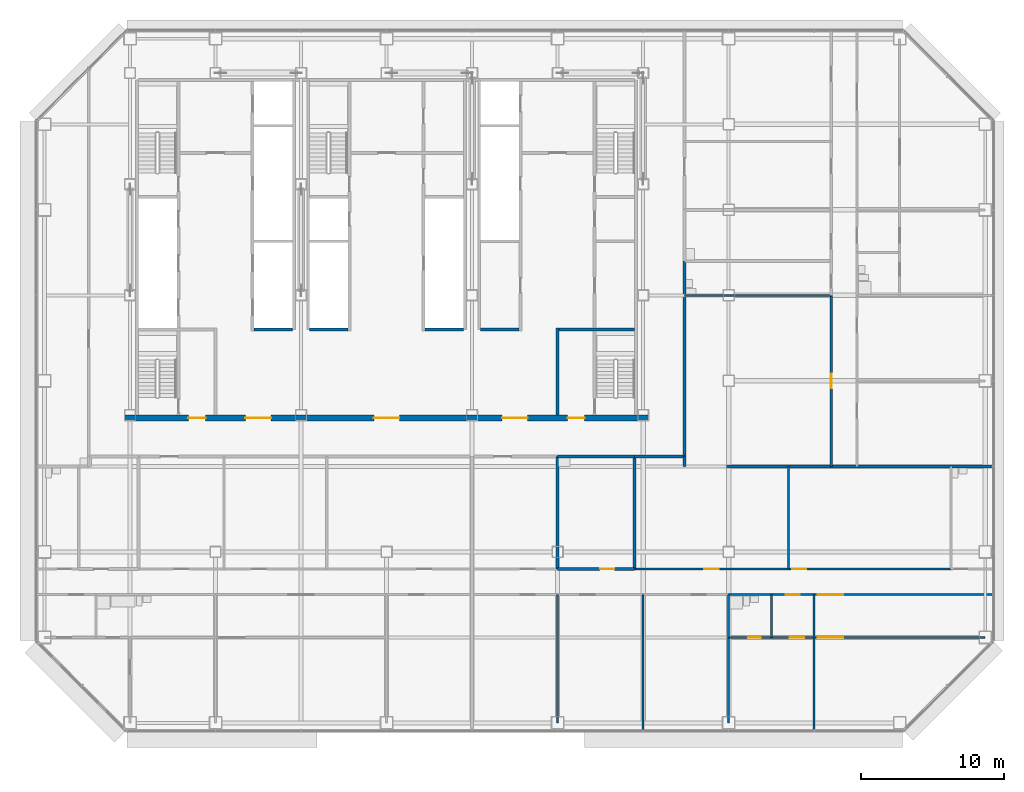
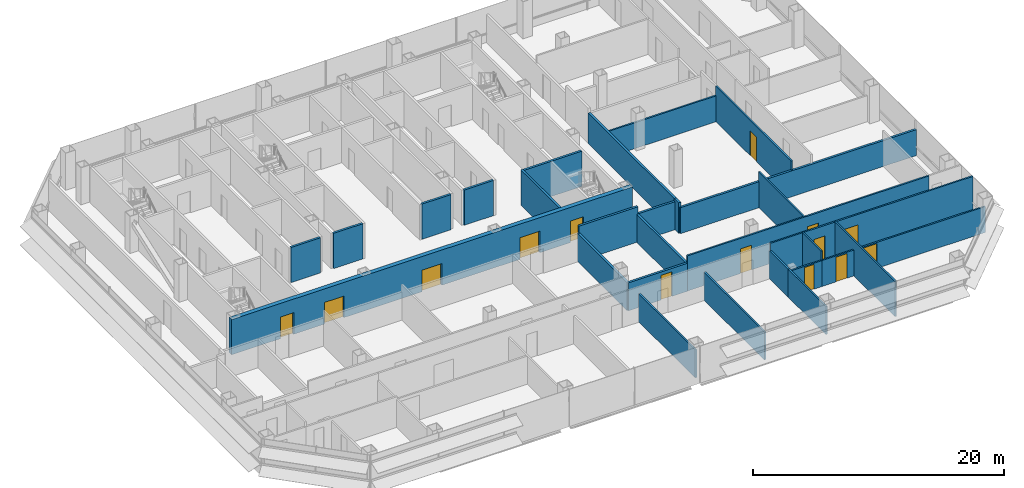
# One storey, part 21 of 27: 29 walls, 14 doors, 14 openings.
"""IFC4 building model written with IfcOpenShell, lengths in metres."""

import ifcopenshell
import ifcopenshell.guid

model = None  # the IFC model being written
_history = None  # IfcOwnerHistory: only IFC2X3 demands one
_inside = {}  # id of a spatial element -> (the spatial element, [elements in it])
_under = {}  # id of a project, library or spatial element -> (it, [spatial elements below it])
_declared = {}  # id of a project -> (the project, [libraries it declares])
_typed = {}  # id of a type object -> (the type object, [elements of that type])
_made_of = {}  # id of a material, layer set ... -> (it, [elements and type objects made of it])


def new_model(schema):
    """Start an empty IFC model of exactly this schema.

    Asked for "IFC4X3", IfcOpenShell would pick the latest addendum, in which some entities
    have other attributes; the version numbers below select the first issue.
    IFC2X3 requires an IfcOwnerHistory on every rooted entity: one is made here for all.
    """
    global model, _history
    if schema == "IFC4X3":
        model = ifcopenshell.file(schema_version=(4, 3, 0, 0))
    else:
        model = ifcopenshell.file(schema=schema)
    _inside.clear()
    _under.clear()
    _declared.clear()
    _typed.clear()
    _made_of.clear()
    _history = None
    if model.schema == "IFC2X3":
        org = make("IfcOrganization", Name="unknown")
        user = make(
            "IfcPersonAndOrganization",
            ThePerson=make("IfcPerson", FamilyName="unknown"),
            TheOrganization=org,
        )
        app = make(
            "IfcApplication",
            ApplicationDeveloper=org,
            Version="unknown",
            ApplicationFullName="unknown",
            ApplicationIdentifier="unknown",
        )
        _history = make(
            "IfcOwnerHistory",
            OwningUser=user,
            OwningApplication=app,
            ChangeAction="ADDED",
            CreationDate=0,
        )
    return model


def make(cls, **values):
    """One entity of the class cls with the attributes given. An attribute that is None is left unset."""
    return model.create_entity(
        cls, **{name: value for name, value in values.items() if value is not None}
    )


def rooted(cls, **values):
    """An entity with a GlobalId (a new one), such as an element, a storey or a relation."""
    return make(cls, GlobalId=ifcopenshell.guid.new(), OwnerHistory=_history, **values)


def si_unit(unit_type, name, prefix=None):
    """IfcSIUnit, for example si_unit("LENGTHUNIT", "METRE", prefix="MILLI")."""
    return make("IfcSIUnit", UnitType=unit_type, Prefix=prefix, Name=name)


def assignment(units):
    """IfcUnitAssignment: the units of a project."""
    return None if units is None else make("IfcUnitAssignment", Units=units)


def point(xyz):
    """IfcCartesianPoint."""
    return None if xyz is None else make("IfcCartesianPoint", Coordinates=xyz)


def direction(xyz):
    """IfcDirection."""
    return None if xyz is None else make("IfcDirection", DirectionRatios=xyz)


def frame(location, z_axis=None, x_axis=None):
    """IfcAxis2Placement3D, a coordinate frame: its origin and axes. An axis left out is left unset."""
    return make(
        "IfcAxis2Placement3D",
        Location=point(location),
        Axis=direction(z_axis),
        RefDirection=direction(x_axis),
    )


def frame_2d(location, x_axis=None):
    """IfcAxis2Placement2D, a coordinate frame in the plane: its origin and x axis."""
    return make(
        "IfcAxis2Placement2D", Location=point(location), RefDirection=direction(x_axis)
    )


def origin():
    """The frame at (0, 0, 0) with its axes left unset."""
    return frame((0.0, 0.0, 0.0))


def place(relative_to, where):
    """IfcLocalPlacement: puts the frame where relative to a parent placement (None: the world)."""
    return make(
        "IfcLocalPlacement", PlacementRelTo=relative_to, RelativePlacement=where
    )


def context(
    kind, dimensions, precision=None, world=None, true_north=None, identifier=None
):
    """IfcGeometricRepresentationContext, for example the 3D "Model" context."""
    return make(
        "IfcGeometricRepresentationContext",
        ContextIdentifier=identifier,
        ContextType=kind,
        CoordinateSpaceDimension=dimensions,
        Precision=precision,
        WorldCoordinateSystem=world,
        TrueNorth=true_north,
    )


def subcontext(parent, identifier, kind, view, scale=None):
    """IfcGeometricRepresentationSubContext, for example "Body" below "Model"."""
    return make(
        "IfcGeometricRepresentationSubContext",
        ContextIdentifier=identifier,
        ContextType=kind,
        ParentContext=parent,
        TargetScale=scale,
        TargetView=view,
    )


def project(units=None, contexts=None):
    """IfcProject with its units and contexts."""
    return rooted(
        "IfcProject",
        Name="project",
        RepresentationContexts=contexts,
        UnitsInContext=assignment(units),
    )


def spatial(cls, under=None, at=None, **own):
    """A site, building, storey or space (cls), placed at a placement, below another one or the project."""
    s = rooted(cls, ObjectPlacement=at, **own)
    if under is not None:
        _under.setdefault(under.id(), (under, []))[1].append(s)
    return s


def profile(cls, at=None, kind="AREA", **sizes):
    """A parametric profile (cls). Its sizes go by their IFC names, for example OverallWidth=200.0."""
    return make(cls, ProfileType=kind, Position=at, **sizes)


def rectangle(**sizes):
    """IfcRectangleProfileDef."""
    return profile("IfcRectangleProfileDef", **sizes)


def extrude(swept, where, along, depth):
    """IfcExtrudedAreaSolid: the profile swept, set in the frame where, extruded along a direction by depth."""
    return make(
        "IfcExtrudedAreaSolid",
        SweptArea=swept,
        Position=where,
        ExtrudedDirection=direction(along),
        Depth=depth,
    )


def shape(context_of_items, identifier, shape_type, items):
    """IfcShapeRepresentation: the items that make up one representation, for example the "Body"."""
    return make(
        "IfcShapeRepresentation",
        ContextOfItems=context_of_items,
        RepresentationIdentifier=identifier,
        RepresentationType=shape_type,
        Items=items,
    )


def material(Name=None, Category=None):
    """IfcMaterial."""
    return make("IfcMaterial", Name=Name, Category=Category)


def layer(
    of_material, thickness, ventilated=None, Name=None, Category=None, Priority=None
):
    """IfcMaterialLayer: one layer of a wall or slab, of a material (None: an air gap)."""
    return make(
        "IfcMaterialLayer",
        Material=of_material,
        LayerThickness=thickness,
        IsVentilated=ventilated,
        Name=Name,
        Category=Category,
        Priority=Priority,
    )


def layer_set(layers, Name=None):
    """IfcMaterialLayerSet."""
    return make("IfcMaterialLayerSet", MaterialLayers=layers, LayerSetName=Name)


def made_of(thing, what):
    """Note that an element or type object is made of a material, layer set ...; save() writes the relation."""
    if what is not None:
        _made_of.setdefault(what.id(), (what, []))[1].append(thing)
    return thing


def type_object(cls, material=None, **own):
    """A type object (cls), such as IfcWallType, which elements share."""
    return made_of(rooted(cls, **own), material)


def element(
    cls,
    number,
    at=None,
    inside=None,
    cuts=None,
    type_object=None,
    material=None,
    context=None,
    identifier="Body",
    shape_type=None,
    held_by="IfcProductDefinitionShape",
    body=None,
    shapes=None,
    **own,
):
    """One element of the class cls, such as IfcWall. Its Tag is "e" and its number.

    at: its placement. inside: the storey or other place that contains it. cuts: it is an
    opening in that element (IfcRelVoidsElement). A single representation is given by context,
    identifier, shape_type and body (its items); several are given by shapes. held_by: the class
    of the entity that holds the representations. save() writes the other relations.
    """
    e = rooted(cls, Tag="e%d" % number, ObjectPlacement=at, **own)
    if body is not None:
        shapes = [shape(context, identifier, shape_type, body)]
    if shapes is not None:
        e.Representation = make(held_by, Representations=shapes)
    if inside is not None:
        _inside.setdefault(inside.id(), (inside, []))[1].append(e)
    if cuts is not None:
        rooted(
            "IfcRelVoidsElement", RelatingBuildingElement=cuts, RelatedOpeningElement=e
        )
    if type_object is not None:
        _typed.setdefault(type_object.id(), (type_object, []))[1].append(e)
    return made_of(e, material)


def fill(opening, filler):
    """IfcRelFillsElement: the door or window that sits in an opening."""
    return rooted(
        "IfcRelFillsElement",
        RelatingOpeningElement=opening,
        RelatedBuildingElement=filler,
    )


def aggregate(whole, parts):
    """IfcRelAggregates: a whole, such as a stair, and the parts it consists of."""
    return rooted("IfcRelAggregates", RelatingObject=whole, RelatedObjects=parts)


def save(model, path):
    """Write the relations noted so far, then the file.

    IfcRelAggregates (storeys below a building ...), IfcRelContainedInSpatialStructure (elements
    in a storey), IfcRelDefinesByType, IfcRelAssociatesMaterial and IfcRelDeclares: one each for
    every whole, place, type object, material and project.
    """
    for whole, parts in _under.values():
        aggregate(whole, parts)
    for where, things in _inside.values():
        rooted(
            "IfcRelContainedInSpatialStructure",
            RelatedElements=things,
            RelatingStructure=where,
        )
    for kind, things in _typed.values():
        rooted("IfcRelDefinesByType", RelatedObjects=things, RelatingType=kind)
    for what, things in _made_of.values():
        rooted("IfcRelAssociatesMaterial", RelatedObjects=things, RelatingMaterial=what)
    for by, libraries in _declared.values():
        rooted("IfcRelDeclares", RelatingContext=by, RelatedDefinitions=libraries)
    model.write(path)


model = new_model("IFC4")

# Units and contexts
model_context = context("Model", 3, precision=1e-05, world=origin(), true_north=direction((0.0, 1.0)))
body_context = subcontext(model_context, "Body", "Model", "MODEL_VIEW")
ifc_project = project(units=[si_unit("LENGTHUNIT", "METRE"), si_unit("AREAUNIT", "SQUARE_METRE"), si_unit("VOLUMEUNIT", "CUBIC_METRE"), si_unit("PLANEANGLEUNIT", "RADIAN"), si_unit("MASSUNIT", "GRAM", prefix="KILO")], contexts=[model_context])

# Site, building, storey
site_placement = place(None, origin())
site = spatial("IfcSite", under=ifc_project, at=site_placement, CompositionType="ELEMENT")
building_placement = place(site_placement, origin())
building = spatial("IfcBuilding", under=site, at=building_placement, Name="Sorahane Residences", CompositionType="ELEMENT")
storey_placement = place(building_placement, frame((0.0, 0.0, 78.60009765625)))
storey = spatial("IfcBuildingStorey", under=building, at=storey_placement, Name="L16", CompositionType="ELEMENT", Elevation=78.60009765625)

# Walls
ifc_material_1 = material(Name="Concrete blockwork C20 wall", Category="masonry")
ifc_layer_1 = layer(ifc_material_1, 0.199951171875)
ifc_layer_set_1 = layer_set([ifc_layer_1], Name="Corridor wall 200 EI 120")
wall_type_1 = type_object("IfcWallType", Name="Corridor wall 200 EI 120", PredefinedType="SOLIDWALL", material=ifc_layer_set_1)
wall_1_placement = place(storey_placement, frame((44.89990234375, 18.699951171875, 0.0), z_axis=(0.0, 0.0, 1.0), x_axis=(0.0, 1.0, 0.0)))
element("IfcWall", 1, at=wall_1_placement, inside=storey, type_object=wall_type_1, Name="L16 corridor wall", PredefinedType="SOLIDWALL", context=body_context, shape_type="SweptSolid", body=[
    extrude(rectangle(XDim=13.699951171875, YDim=0.199951171875, at=frame_2d((6.85009765625, 0.0))), origin(), (0.0, 0.0, 1.0), 2.969970703125),
])
wall_2_placement = place(storey_placement, frame((41.39990234375, 18.699951171875, 0.0), z_axis=(0.0, 0.0, 1.0), x_axis=(1.0, 0.0, 0.0)))
element("IfcWall", 2, at=wall_2_placement, inside=storey, type_object=wall_type_1, Name="L16 corridor wall", PredefinedType="SOLIDWALL", context=body_context, shape_type="SweptSolid", body=[
    extrude(rectangle(XDim=3.5, YDim=0.199951171875, at=frame_2d((1.75, 0.0))), origin(), (0.0, 0.0, 1.0), 2.719970703125),
])
ifc_material_2 = material(Name="Concrete C30", Category="concrete")
ifc_layer_2 = layer(ifc_material_2, 0.199951171875)
ifc_layer_set_2 = layer_set([ifc_layer_2], Name="Front room wall 200 EI 120")
wall_type_2 = type_object("IfcWallType", Name="Front room wall 200 EI 120", PredefinedType="PARTITIONING", material=ifc_layer_set_2)
wall_3_placement = place(storey_placement, frame((36.0, 21.60009765625, 0.0), z_axis=(0.0, 0.0, 1.0), x_axis=(0.0, 1.0, 0.0)))
element("IfcWall", 3, at=wall_3_placement, inside=storey, type_object=wall_type_2, Name="L16 front room wall", PredefinedType="PARTITIONING", context=body_context, shape_type="SweptSolid", body=[
    extrude(rectangle(XDim=6.099853515625, YDim=0.199951171875, at=frame_2d((3.0498046875, 0.0))), origin(), (0.0, 0.0, 1.0), 3.419921875),
])
ifc_material_3 = material(Name="Concrete blockwork C20 wall", Category="masonry")
ifc_layer_3 = layer(ifc_material_3, 0.199951171875)
ifc_layer_set_3 = layer_set([ifc_layer_3], Name="Kitchen wall 200 EI 180")
wall_type_3 = type_object("IfcWallType", Name="Kitchen wall 200 EI 180", PredefinedType="SOLIDWALL", material=ifc_layer_set_3)
for number, where, z_axis, x_axis, name in (
    (4, (36.0, 10.800048828125, 0.0), (0.0, 0.0, 1.0), (0.0, 1.0, 0.0), "L16 kitchen wall"),
    (5, (41.39990234375, 10.800048828125, 0.0), (0.0, 0.0, 1.0), (0.0, 1.0, 0.0), "L16 kitchen wall"),
):
    element("IfcWall", number, at=place(storey_placement, frame(where, z_axis=z_axis, x_axis=x_axis)), inside=storey, type_object=wall_type_3, Name=name, PredefinedType="SOLIDWALL", context=body_context, shape_type="SweptSolid", body=[
        extrude(rectangle(XDim=7.89990234375, YDim=0.199951171875, at=frame_2d((3.949951171875, 0.0))), origin(), (0.0, 0.0, 1.0), 2.719970703125),
    ])

# Wall, opening, door
wall_4_placement = place(storey_placement, frame((36.0, 10.800048828125, 0.0), z_axis=(0.0, 0.0, 1.0), x_axis=(1.0, 0.0, 0.0)))
wall_4 = element("IfcWall", 6, at=wall_4_placement, inside=storey, type_object=wall_type_3, Name="L16 kitchen wall", PredefinedType="SOLIDWALL", context=body_context, shape_type="SweptSolid", body=[
    extrude(rectangle(XDim=5.39990234375, YDim=0.199951171875, at=frame_2d((2.699951171875, 0.0))), origin(), (0.0, 0.0, 1.0), 2.719970703125),
])
opening_1_placement = place(wall_4_placement, frame((2.97998046875, 0.0, 0.0)))
opening_1 = element("IfcOpeningElement", 7, at=opening_1_placement, cuts=wall_4, Name="Opening L16-14", PredefinedType="OPENING", context=body_context, shape_type="SweptSolid", body=[
    extrude(rectangle(XDim=1.0, YDim=2.39990234375, at=frame_2d((0.5, 1.199951171875))), frame((0.0, 0.10986328125, 0.0), z_axis=(0.0, -1.0, 0.0), x_axis=(1.0, 0.0, 0.0)), (0.0, 0.0, 1.0), 0.219970703125),
])
ifc_material_4 = material(Name="Steel", Category="steel")
door_type_1 = type_object("IfcDoorType", Name="Kitchen door 1000x2400 FD120", OperationType="NOTDEFINED", PredefinedType="DOOR", material=ifc_material_4)
door_1_placement = place(opening_1_placement, origin())
door_1 = element("IfcDoor", 8, at=door_1_placement, inside=storey, type_object=door_type_1, Name="Kitchen door L16-14", OperationType="SINGLE_SWING_LEFT", OverallHeight=2.39990234375, OverallWidth=1.0, PredefinedType="DOOR", context=body_context, shape_type="SweptSolid", body=[
    extrude(rectangle(XDim=1.0, YDim=2.39990234375, at=frame_2d((0.5, 1.199951171875))), frame((0.0, 0.02490234375, 0.0), z_axis=(0.0, -1.0, 0.0), x_axis=(1.0, 0.0, 0.0)), (0.0, 0.0, 1.0), 0.050048828125),
])
fill(opening_1, door_1)

# Walls
wall_5_placement = place(storey_placement, frame((36.0, 18.699951171875, 0.0), z_axis=(0.0, 0.0, 1.0), x_axis=(1.0, 0.0, 0.0)))
element("IfcWall", 9, at=wall_5_placement, inside=storey, type_object=wall_type_3, Name="L16 kitchen wall", PredefinedType="SOLIDWALL", context=body_context, shape_type="SweptSolid", body=[
    extrude(rectangle(XDim=5.39990234375, YDim=0.199951171875, at=frame_2d((2.699951171875, 0.0))), origin(), (0.0, 0.0, 1.0), 3.419921875),
])
ifc_material_5 = material(Name="Concrete C30", Category="concrete")
ifc_layer_4 = layer(ifc_material_5, 0.199951171875)
ifc_layer_set_4 = layer_set([ifc_layer_4], Name="Lift shaft wall 200 EI 120")
wall_type_4 = type_object("IfcWallType", Name="Lift shaft wall 200 EI 120", PredefinedType="SOLIDWALL", material=ifc_layer_set_4)
for number, where, z_axis, x_axis, name in (
    (10, (14.699951171875, 27.60009765625, 0.0), (0.0, 0.0, 1.0), (1.0, 0.0, 0.0), "L16 lift shaft wall"),
    (11, (18.60009765625, 27.60009765625, 0.0), (0.0, 0.0, 1.0), (1.0, 0.0, 0.0), "L16 lift shaft wall"),
):
    element("IfcWall", number, at=place(storey_placement, frame(where, z_axis=z_axis, x_axis=x_axis)), inside=storey, type_object=wall_type_4, Name=name, PredefinedType="SOLIDWALL", context=body_context, shape_type="SweptSolid", body=[
        extrude(rectangle(XDim=2.699951171875, YDim=0.199951171875, at=frame_2d((1.35009765625, 0.0))), origin(), (0.0, 0.0, 1.0), 3.419921875),
    ])
ifc_material_6 = material(Name="Gypsum board partition on steel studs", Category="steel")
ifc_layer_5 = layer(ifc_material_6, 0.14990234375)
ifc_layer_set_5 = layer_set([ifc_layer_5], Name="Partition 150 EI 90")
wall_type_5 = type_object("IfcWallType", Name="Partition 150 EI 90", PredefinedType="PARTITIONING", material=ifc_layer_set_5)
wall_6_placement = place(storey_placement, frame((36.0, 0.0, 0.0), z_axis=(0.0, 0.0, 1.0), x_axis=(0.0, 1.0, 0.0)))
element("IfcWall", 12, at=wall_6_placement, inside=storey, type_object=wall_type_5, Name="L16 partition", PredefinedType="PARTITIONING", context=body_context, shape_type="SweptSolid", body=[
    extrude(rectangle(XDim=9.0, YDim=0.14990234375, at=frame_2d((4.5, 0.0))), origin(), (0.0, 0.0, 1.0), 2.719970703125),
])
wall_7_placement = place(storey_placement, frame((42.0, -0.60009765625, 0.0), z_axis=(0.0, 0.0, 1.0), x_axis=(0.0, 1.0, 0.0)))
element("IfcWall", 13, at=wall_7_placement, inside=storey, type_object=wall_type_5, Name="L16 partition", PredefinedType="PARTITIONING", context=body_context, shape_type="SweptSolid", body=[
    extrude(rectangle(XDim=9.60009765625, YDim=0.14990234375, at=frame_2d((4.800048828125, 0.0))), origin(), (0.0, 0.0, 1.0), 2.719970703125),
])
wall_8_placement = place(storey_placement, frame((48.0, 0.0, 0.0), z_axis=(0.0, 0.0, 1.0), x_axis=(0.0, 1.0, 0.0)))
element("IfcWall", 14, at=wall_8_placement, inside=storey, type_object=wall_type_5, Name="L16 partition", PredefinedType="PARTITIONING", context=body_context, shape_type="SweptSolid", body=[
    extrude(rectangle(XDim=6.0, YDim=0.14990234375, at=frame_2d((3.0, 0.0))), origin(), (0.0, 0.0, 1.0), 2.719970703125),
])
wall_9_placement = place(storey_placement, frame((52.199951171875, 10.800048828125, 0.0), z_axis=(0.0, 0.0, 1.0), x_axis=(0.0, 1.0, 0.0)))
element("IfcWall", 15, at=wall_9_placement, inside=storey, type_object=wall_type_5, Name="L16 partition", PredefinedType="PARTITIONING", context=body_context, shape_type="SweptSolid", body=[
    extrude(rectangle(XDim=7.199951171875, YDim=0.14990234375, at=frame_2d((3.60009765625, 0.0))), origin(), (0.0, 0.0, 1.0), 3.419921875),
])
wall_10_placement = place(storey_placement, frame((54.0, -0.60009765625, 0.0), z_axis=(0.0, 0.0, 1.0), x_axis=(0.0, 1.0, 0.0)))
element("IfcWall", 16, at=wall_10_placement, inside=storey, type_object=wall_type_5, Name="L16 partition", PredefinedType="PARTITIONING", context=body_context, shape_type="SweptSolid", body=[
    extrude(rectangle(XDim=9.60009765625, YDim=0.14990234375, at=frame_2d((4.800048828125, 0.0))), origin(), (0.0, 0.0, 1.0), 3.419921875),
])

# Wall, opening, door
wall_11_placement = place(storey_placement, frame((55.199951171875, 18.0, 0.0), z_axis=(0.0, 0.0, 1.0), x_axis=(0.0, 1.0, 0.0)))
wall_11 = element("IfcWall", 17, at=wall_11_placement, inside=storey, type_object=wall_type_5, Name="L16 partition", PredefinedType="PARTITIONING", context=body_context, shape_type="SweptSolid", body=[
    extrude(rectangle(XDim=12.0, YDim=0.14990234375, at=frame_2d((6.0, 0.0))), origin(), (0.0, 0.0, 1.0), 3.419921875),
])
opening_2_placement = place(wall_11_placement, frame((5.5, 0.0, 0.0)))
opening_2 = element("IfcOpeningElement", 18, at=opening_2_placement, cuts=wall_11, Name="Opening L16-27", PredefinedType="OPENING", context=body_context, shape_type="SweptSolid", body=[
    extrude(rectangle(XDim=1.0, YDim=2.39990234375, at=frame_2d((0.5, 1.199951171875))), frame((0.0, 0.0849609375, 0.0), z_axis=(0.0, -1.0, 0.0), x_axis=(1.0, 0.0, 0.0)), (0.0, 0.0, 1.0), 0.169921875),
])
ifc_material_7 = material(Name="Timber veneered fire door", Category="wood")
door_type_2 = type_object("IfcDoorType", Name="Room door 1000x2400 FD30", OperationType="NOTDEFINED", PredefinedType="DOOR", material=ifc_material_7)
door_2_placement = place(opening_2_placement, origin())
door_2 = element("IfcDoor", 19, at=door_2_placement, inside=storey, type_object=door_type_2, Name="Room door L16-27", OperationType="SINGLE_SWING_LEFT", OverallHeight=2.39990234375, OverallWidth=1.0, PredefinedType="DOOR", context=body_context, shape_type="SweptSolid", body=[
    extrude(rectangle(XDim=1.0, YDim=2.39990234375, at=frame_2d((0.5, 1.199951171875))), frame((0.0, 0.02490234375, 0.0), z_axis=(0.0, -1.0, 0.0), x_axis=(1.0, 0.0, 0.0)), (0.0, 0.0, 1.0), 0.050048828125),
])
fill(opening_2, door_2)

# Wall, openings, doors
wall_12_placement = place(storey_placement, frame((41.39990234375, 10.800048828125, 0.0), z_axis=(0.0, 0.0, 1.0), x_axis=(1.0, 0.0, 0.0)))
wall_12 = element("IfcWall", 20, at=wall_12_placement, inside=storey, type_object=wall_type_5, Name="L16 partition", PredefinedType="PARTITIONING", context=body_context, shape_type="SweptSolid", body=[
    extrude(rectangle(XDim=22.2001953125, YDim=0.14990234375, at=frame_2d((11.10009765625, 0.0))), origin(), (0.0, 0.0, 1.0), 3.419921875),
])
opening_3_placement = place(wall_12_placement, frame((4.89990234375, 0.0, 0.0)))
opening_3 = element("IfcOpeningElement", 21, at=opening_3_placement, cuts=wall_12, Name="Opening L16-15", PredefinedType="OPENING", context=body_context, shape_type="SweptSolid", body=[
    extrude(rectangle(XDim=1.0, YDim=2.39990234375, at=frame_2d((0.5, 1.199951171875))), frame((0.0, 0.0849609375, 0.0), z_axis=(0.0, -1.0, 0.0), x_axis=(1.0, 0.0, 0.0)), (0.0, 0.0, 1.0), 0.169921875),
])
opening_4_placement = place(wall_12_placement, frame((11.050048828125, 0.0, 0.0)))
opening_4 = element("IfcOpeningElement", 22, at=opening_4_placement, cuts=wall_12, Name="Opening L16-16", PredefinedType="OPENING", context=body_context, shape_type="SweptSolid", body=[
    extrude(rectangle(XDim=1.0, YDim=2.39990234375, at=frame_2d((0.5, 1.199951171875))), frame((0.0, 0.0849609375, 0.0), z_axis=(0.0, -1.0, 0.0), x_axis=(1.0, 0.0, 0.0)), (0.0, 0.0, 1.0), 0.169921875),
])
door_3_placement = place(opening_3_placement, origin())
door_3 = element("IfcDoor", 23, at=door_3_placement, inside=storey, type_object=door_type_2, Name="Room door L16-15", OperationType="SINGLE_SWING_LEFT", OverallHeight=2.39990234375, OverallWidth=1.0, PredefinedType="DOOR", context=body_context, shape_type="SweptSolid", body=[
    extrude(rectangle(XDim=1.0, YDim=2.39990234375, at=frame_2d((0.5, 1.199951171875))), frame((0.0, 0.02490234375, 0.0), z_axis=(0.0, -1.0, 0.0), x_axis=(1.0, 0.0, 0.0)), (0.0, 0.0, 1.0), 0.050048828125),
])
fill(opening_3, door_3)
door_4_placement = place(opening_4_placement, origin())
door_4 = element("IfcDoor", 24, at=door_4_placement, inside=storey, type_object=door_type_2, Name="Room door L16-16", OperationType="SINGLE_SWING_LEFT", OverallHeight=2.39990234375, OverallWidth=1.0, PredefinedType="DOOR", context=body_context, shape_type="SweptSolid", body=[
    extrude(rectangle(XDim=1.0, YDim=2.39990234375, at=frame_2d((0.5, 1.199951171875))), frame((0.0, 0.02490234375, 0.0), z_axis=(0.0, -1.0, 0.0), x_axis=(1.0, 0.0, 0.0)), (0.0, 0.0, 1.0), 0.050048828125),
])
fill(opening_4, door_4)

wall_13_placement = place(storey_placement, frame((51.0, 6.0, 0.0), z_axis=(0.0, 0.0, 1.0), x_axis=(1.0, 0.0, 0.0)))
wall_13 = element("IfcWall", 25, at=wall_13_placement, inside=storey, type_object=wall_type_5, Name="L16 partition", PredefinedType="PARTITIONING", context=body_context, shape_type="SweptSolid", body=[
    extrude(rectangle(XDim=15.0, YDim=0.14990234375, at=frame_2d((7.5, 0.0))), origin(), (0.0, 0.0, 1.0), 2.52001953125),
])
opening_5_placement = place(wall_13_placement, frame((1.300048828125, 0.0, 0.0)))
opening_5 = element("IfcOpeningElement", 26, at=opening_5_placement, cuts=wall_13, Name="Opening L16-23", PredefinedType="OPENING", context=body_context, shape_type="SweptSolid", body=[
    extrude(rectangle(XDim=1.0, YDim=2.39990234375, at=frame_2d((0.5, 1.199951171875))), frame((0.0, 0.0849609375, 0.0), z_axis=(0.0, -1.0, 0.0), x_axis=(1.0, 0.0, 0.0)), (0.0, 0.0, 1.0), 0.169921875),
])
opening_6_placement = place(wall_13_placement, frame((3.25, 0.0, 0.0)))
opening_6 = element("IfcOpeningElement", 27, at=opening_6_placement, cuts=wall_13, Name="Opening L16-25", PredefinedType="OPENING", context=body_context, shape_type="SweptSolid", body=[
    extrude(rectangle(XDim=1.800048828125, YDim=2.39990234375, at=frame_2d((0.89990234375, 1.199951171875))), frame((0.0, 0.0849609375, 0.0), z_axis=(0.0, -1.0, 0.0), x_axis=(1.0, 0.0, 0.0)), (0.0, 0.0, 1.0), 0.169921875),
])
ifc_material_8 = material(Name="Timber veneered fire door", Category="wood")
door_type_3 = type_object("IfcDoorType", Name="Double door 1800x2400 FD30", OperationType="NOTDEFINED", PredefinedType="DOOR", material=ifc_material_8)
door_5_placement = place(opening_6_placement, frame((1.800048828125, 0.0, 0.0), z_axis=(0.0, 0.0, 1.0), x_axis=(-1.0, 0.0, 0.0)))
door_5 = element("IfcDoor", 28, at=door_5_placement, inside=storey, type_object=door_type_3, Name="Double door L16-25", OperationType="SINGLE_SWING_LEFT", OverallHeight=2.39990234375, OverallWidth=1.800048828125, PredefinedType="DOOR", context=body_context, shape_type="SweptSolid", body=[
    extrude(rectangle(XDim=1.800048828125, YDim=2.39990234375, at=frame_2d((0.89990234375, 1.199951171875))), frame((0.0, 0.02490234375, 0.0), z_axis=(0.0, -1.0, 0.0), x_axis=(1.0, 0.0, 0.0)), (0.0, 0.0, 1.0), 0.050048828125),
])
fill(opening_6, door_5)
door_6_placement = place(opening_5_placement, frame((1.0, 0.0, 0.0), z_axis=(0.0, 0.0, 1.0), x_axis=(-1.0, 0.0, 0.0)))
door_6 = element("IfcDoor", 29, at=door_6_placement, inside=storey, type_object=door_type_2, Name="Room door L16-23", OperationType="SINGLE_SWING_RIGHT", OverallHeight=2.39990234375, OverallWidth=1.0, PredefinedType="DOOR", context=body_context, shape_type="SweptSolid", body=[
    extrude(rectangle(XDim=1.0, YDim=2.39990234375, at=frame_2d((0.5, 1.199951171875))), frame((0.0, 0.02490234375, 0.0), z_axis=(0.0, -1.0, 0.0), x_axis=(1.0, 0.0, 0.0)), (0.0, 0.0, 1.0), 0.050048828125),
])
fill(opening_5, door_6)

wall_14_placement = place(storey_placement, frame((51.0, 9.0, 0.0), z_axis=(0.0, 0.0, 1.0), x_axis=(1.0, 0.0, 0.0)))
wall_14 = element("IfcWall", 30, at=wall_14_placement, inside=storey, type_object=wall_type_5, Name="L16 partition", PredefinedType="PARTITIONING", context=body_context, shape_type="SweptSolid", body=[
    extrude(rectangle(XDim=15.60009765625, YDim=0.14990234375, at=frame_2d((7.800048828125, 0.0))), origin(), (0.0, 0.0, 1.0), 3.419921875),
])
opening_7_placement = place(wall_14_placement, frame((1.0, 0.0, 0.0)))
opening_7 = element("IfcOpeningElement", 31, at=opening_7_placement, cuts=wall_14, Name="Opening L16-21", PredefinedType="OPENING", context=body_context, shape_type="SweptSolid", body=[
    extrude(rectangle(XDim=1.0, YDim=2.39990234375, at=frame_2d((0.5, 1.199951171875))), frame((0.0, 0.0849609375, 0.0), z_axis=(0.0, -1.0, 0.0), x_axis=(1.0, 0.0, 0.0)), (0.0, 0.0, 1.0), 0.169921875),
])
opening_8_placement = place(wall_14_placement, frame((3.25, 0.0, 0.0)))
opening_8 = element("IfcOpeningElement", 32, at=opening_8_placement, cuts=wall_14, Name="Opening L16-22", PredefinedType="OPENING", context=body_context, shape_type="SweptSolid", body=[
    extrude(rectangle(XDim=1.800048828125, YDim=2.39990234375, at=frame_2d((0.89990234375, 1.199951171875))), frame((0.0, 0.0849609375, 0.0), z_axis=(0.0, -1.0, 0.0), x_axis=(1.0, 0.0, 0.0)), (0.0, 0.0, 1.0), 0.169921875),
])
door_7_placement = place(opening_8_placement, frame((1.800048828125, 0.0, 0.0), z_axis=(0.0, 0.0, 1.0), x_axis=(-1.0, 0.0, 0.0)))
door_7 = element("IfcDoor", 33, at=door_7_placement, inside=storey, type_object=door_type_3, Name="Double door L16-22", OperationType="SINGLE_SWING_LEFT", OverallHeight=2.39990234375, OverallWidth=1.800048828125, PredefinedType="DOOR", context=body_context, shape_type="SweptSolid", body=[
    extrude(rectangle(XDim=1.800048828125, YDim=2.39990234375, at=frame_2d((0.89990234375, 1.199951171875))), frame((0.0, 0.02490234375, 0.0), z_axis=(0.0, -1.0, 0.0), x_axis=(1.0, 0.0, 0.0)), (0.0, 0.0, 1.0), 0.050048828125),
])
fill(opening_8, door_7)
door_8_placement = place(opening_7_placement, frame((1.0, 0.0, 0.0), z_axis=(0.0, 0.0, 1.0), x_axis=(-1.0, 0.0, 0.0)))
door_8 = element("IfcDoor", 34, at=door_8_placement, inside=storey, type_object=door_type_2, Name="Room door L16-21", OperationType="SINGLE_SWING_LEFT", OverallHeight=2.39990234375, OverallWidth=1.0, PredefinedType="DOOR", context=body_context, shape_type="SweptSolid", body=[
    extrude(rectangle(XDim=1.0, YDim=2.39990234375, at=frame_2d((0.5, 1.199951171875))), frame((0.0, 0.02490234375, 0.0), z_axis=(0.0, -1.0, 0.0), x_axis=(1.0, 0.0, 0.0)), (0.0, 0.0, 1.0), 0.050048828125),
])
fill(opening_7, door_8)

# Walls
ifc_material_9 = material(Name="Concrete blockwork C20 wall", Category="masonry")
ifc_layer_6 = layer(ifc_material_9, 0.199951171875)
ifc_layer_set_6 = layer_set([ifc_layer_6], Name="Party wall 200 EI 120")
wall_type_6 = type_object("IfcWallType", Name="Party wall 200 EI 120", PredefinedType="SOLIDWALL", material=ifc_layer_set_6)
wall_15_placement = place(storey_placement, frame((44.89990234375, 18.0, 0.0), z_axis=(0.0, 0.0, 1.0), x_axis=(0.0, 1.0, 0.0)))
element("IfcWall", 35, at=wall_15_placement, inside=storey, type_object=wall_type_6, Name="L16 party wall", PredefinedType="SOLIDWALL", context=body_context, shape_type="SweptSolid", body=[
    extrude(rectangle(XDim=0.699951171875, YDim=0.199951171875, at=frame_2d((0.35009765625, 0.0))), origin(), (0.0, 0.0, 1.0), 2.969970703125),
])
wall_16_placement = place(storey_placement, frame((44.89990234375, 18.0, 0.0), z_axis=(0.0, 0.0, 1.0), x_axis=(1.0, 0.0, 0.0)))
element("IfcWall", 36, at=wall_16_placement, inside=storey, type_object=wall_type_6, Name="L16 party wall", PredefinedType="SOLIDWALL", context=body_context, shape_type="SweptSolid", body=[
    extrude(rectangle(XDim=21.7001953125, YDim=0.199951171875, at=frame_2d((10.85009765625, 0.0))), origin(), (0.0, 0.0, 1.0), 2.52001953125),
])
ifc_material_10 = material(Name="Concrete C30", Category="concrete")
ifc_layer_7 = layer(ifc_material_10, 0.199951171875)
ifc_layer_set_7 = layer_set([ifc_layer_7], Name="Riser shaft wall 200 EI 120")
wall_type_7 = type_object("IfcWallType", Name="Riser shaft wall 200 EI 120", PredefinedType="SOLIDWALL", material=ifc_layer_set_7)
wall_17_placement = place(storey_placement, frame((26.699951171875, 27.60009765625, 0.0), z_axis=(0.0, 0.0, 1.0), x_axis=(1.0, 0.0, 0.0)))
element("IfcWall", 37, at=wall_17_placement, inside=storey, type_object=wall_type_7, Name="L16 riser wall", PredefinedType="SOLIDWALL", context=body_context, shape_type="SweptSolid", body=[
    extrude(rectangle(XDim=2.699951171875, YDim=0.199951171875, at=frame_2d((1.35009765625, 0.0))), origin(), (0.0, 0.0, 1.0), 3.419921875),
])
ifc_material_11 = material(Name="Concrete C30", Category="concrete")
ifc_layer_8 = layer(ifc_material_11, 0.199951171875)
ifc_layer_set_8 = layer_set([ifc_layer_8], Name="Service room partition 200 EI 60")
wall_type_8 = type_object("IfcWallType", Name="Service room partition 200 EI 60", PredefinedType="PARTITIONING", material=ifc_layer_set_8)
wall_18_placement = place(storey_placement, frame((30.60009765625, 27.60009765625, 0.0), z_axis=(0.0, 0.0, 1.0), x_axis=(1.0, 0.0, 0.0)))
element("IfcWall", 38, at=wall_18_placement, inside=storey, type_object=wall_type_8, Name="L16 service room wall", PredefinedType="PARTITIONING", context=body_context, shape_type="SweptSolid", body=[
    extrude(rectangle(XDim=2.699951171875, YDim=0.199951171875, at=frame_2d((1.35009765625, 0.0))), origin(), (0.0, 0.0, 1.0), 3.419921875),
])
ifc_material_12 = material(Name="Concrete C30", Category="concrete")
ifc_layer_9 = layer(ifc_material_12, 0.199951171875)
ifc_layer_set_9 = layer_set([ifc_layer_9], Name="Stair enclosure wall 200 EI 120")
wall_type_9 = type_object("IfcWallType", Name="Stair enclosure wall 200 EI 120", PredefinedType="SOLIDWALL", material=ifc_layer_set_9)
wall_19_placement = place(storey_placement, frame((36.10009765625, 27.60009765625, 0.0), z_axis=(0.0, 0.0, 1.0), x_axis=(1.0, 0.0, 0.0)))
element("IfcWall", 39, at=wall_19_placement, inside=storey, type_object=wall_type_9, Name="L16 stair enclosure wall", PredefinedType="SOLIDWALL", context=body_context, shape_type="SweptSolid", body=[
    extrude(rectangle(XDim=5.2998046875, YDim=0.199951171875, at=frame_2d((2.64990234375, 0.0))), origin(), (0.0, 0.0, 1.0), 3.419921875),
])

# Wall, openings, doors
ifc_material_13 = material(Name="Concrete C30", Category="concrete")
ifc_layer_10 = layer(ifc_material_13, 0.39990234375)
ifc_layer_set_10 = layer_set([ifc_layer_10], Name="Waiting hall wall 400 EI 120")
wall_type_10 = type_object("IfcWallType", Name="Waiting hall wall 400 EI 120", PredefinedType="SOLIDWALL", material=ifc_layer_set_10)
wall_20_placement = place(storey_placement, frame((5.60009765625, 21.39990234375, 0.0), z_axis=(0.0, 0.0, 1.0), x_axis=(1.0, 0.0, 0.0)))
wall_20 = element("IfcWall", 40, at=wall_20_placement, inside=storey, type_object=wall_type_10, Name="L16 waiting hall wall", PredefinedType="SOLIDWALL", context=body_context, shape_type="SweptSolid", body=[
    extrude(rectangle(XDim=36.7998046875, YDim=0.39990234375, at=frame_2d((18.39990234375, 0.0))), origin(), (0.0, 0.0, 1.0), 3.419921875),
])
opening_9_placement = place(wall_20_placement, frame((8.5, 0.0, 0.0)))
opening_9 = element("IfcOpeningElement", 41, at=opening_9_placement, cuts=wall_20, Name="Opening L16-C01", PredefinedType="OPENING", context=body_context, shape_type="SweptSolid", body=[
    extrude(rectangle(XDim=1.800048828125, YDim=2.10009765625, at=frame_2d((0.89990234375, 1.050048828125))), frame((0.0, 0.2099609375, 0.0), z_axis=(0.0, -1.0, 0.0), x_axis=(1.0, 0.0, 0.0)), (0.0, 0.0, 1.0), 0.419921875),
])
opening_10_placement = place(wall_20_placement, frame((17.5, 0.0, 0.0)))
opening_10 = element("IfcOpeningElement", 42, at=opening_10_placement, cuts=wall_20, Name="Opening L16-C02", PredefinedType="OPENING", context=body_context, shape_type="SweptSolid", body=[
    extrude(rectangle(XDim=1.800048828125, YDim=2.10009765625, at=frame_2d((0.89990234375, 1.050048828125))), frame((0.0, 0.2099609375, 0.0), z_axis=(0.0, -1.0, 0.0), x_axis=(1.0, 0.0, 0.0)), (0.0, 0.0, 1.0), 0.419921875),
])
opening_11_placement = place(wall_20_placement, frame((26.5, 0.0, 0.0)))
opening_11 = element("IfcOpeningElement", 43, at=opening_11_placement, cuts=wall_20, Name="Opening L16-C03", PredefinedType="OPENING", context=body_context, shape_type="SweptSolid", body=[
    extrude(rectangle(XDim=1.800048828125, YDim=2.10009765625, at=frame_2d((0.89990234375, 1.050048828125))), frame((0.0, 0.2099609375, 0.0), z_axis=(0.0, -1.0, 0.0), x_axis=(1.0, 0.0, 0.0)), (0.0, 0.0, 1.0), 0.419921875),
])
opening_12_placement = place(wall_20_placement, frame((4.5, 0.0, 0.0)))
opening_12 = element("IfcOpeningElement", 44, at=opening_12_placement, cuts=wall_20, Name="Opening L16-C04", PredefinedType="OPENING", context=body_context, shape_type="SweptSolid", body=[
    extrude(rectangle(XDim=1.199951171875, YDim=2.10009765625, at=frame_2d((0.60009765625, 1.050048828125))), frame((0.0, 0.2099609375, 0.0), z_axis=(0.0, -1.0, 0.0), x_axis=(1.0, 0.0, 0.0)), (0.0, 0.0, 1.0), 0.419921875),
])
opening_13_placement = place(wall_20_placement, frame((31.10009765625, 0.0, 0.0)))
opening_13 = element("IfcOpeningElement", 45, at=opening_13_placement, cuts=wall_20, Name="Opening L16-C05", PredefinedType="OPENING", context=body_context, shape_type="SweptSolid", body=[
    extrude(rectangle(XDim=1.199951171875, YDim=2.10009765625, at=frame_2d((0.60009765625, 1.050048828125))), frame((0.0, 0.2099609375, 0.0), z_axis=(0.0, -1.0, 0.0), x_axis=(1.0, 0.0, 0.0)), (0.0, 0.0, 1.0), 0.419921875),
])
ifc_material_14 = material(Name="Steel", Category="steel")
door_type_4 = type_object("IfcDoorType", Name="Stair front room door 1200x2100 FD120", OperationType="NOTDEFINED", PredefinedType="DOOR", material=ifc_material_14)
door_9_placement = place(opening_12_placement, frame((1.199951171875, 0.0, 0.0), z_axis=(0.0, 0.0, 1.0), x_axis=(-1.0, 0.0, 0.0)))
door_9 = element("IfcDoor", 46, at=door_9_placement, inside=storey, type_object=door_type_4, Name="Stair front room door Stair S4 front room L16", OperationType="SINGLE_SWING_LEFT", OverallHeight=2.10009765625, OverallWidth=1.199951171875, PredefinedType="DOOR", context=body_context, shape_type="SweptSolid", body=[
    extrude(rectangle(XDim=1.199951171875, YDim=2.10009765625, at=frame_2d((0.60009765625, 1.050048828125))), frame((0.0, 0.02490234375, 0.0), z_axis=(0.0, -1.0, 0.0), x_axis=(1.0, 0.0, 0.0)), (0.0, 0.0, 1.0), 0.050048828125),
])
fill(opening_12, door_9)
door_10_placement = place(opening_13_placement, frame((1.199951171875, 0.0, 0.0), z_axis=(0.0, 0.0, 1.0), x_axis=(-1.0, 0.0, 0.0)))
door_10 = element("IfcDoor", 47, at=door_10_placement, inside=storey, type_object=door_type_4, Name="Stair front room door Stair S5 front room L16", OperationType="SINGLE_SWING_LEFT", OverallHeight=2.10009765625, OverallWidth=1.199951171875, PredefinedType="DOOR", context=body_context, shape_type="SweptSolid", body=[
    extrude(rectangle(XDim=1.199951171875, YDim=2.10009765625, at=frame_2d((0.60009765625, 1.050048828125))), frame((0.0, 0.02490234375, 0.0), z_axis=(0.0, -1.0, 0.0), x_axis=(1.0, 0.0, 0.0)), (0.0, 0.0, 1.0), 0.050048828125),
])
fill(opening_13, door_10)
ifc_material_15 = material(Name="Steel", Category="steel")
door_type_5 = type_object("IfcDoorType", Name="Waiting hall door 1800x2100 FD60", OperationType="NOTDEFINED", PredefinedType="DOOR", material=ifc_material_15)
door_11_placement = place(opening_9_placement, frame((1.800048828125, 0.0, 0.0), z_axis=(0.0, 0.0, 1.0), x_axis=(-1.0, 0.0, 0.0)))
door_11 = element("IfcDoor", 48, at=door_11_placement, inside=storey, type_object=door_type_5, Name="Waiting hall door Residents' waiting hall L16", OperationType="SINGLE_SWING_LEFT", OverallHeight=2.10009765625, OverallWidth=1.800048828125, PredefinedType="DOOR", context=body_context, shape_type="SweptSolid", body=[
    extrude(rectangle(XDim=1.800048828125, YDim=2.10009765625, at=frame_2d((0.89990234375, 1.050048828125))), frame((0.0, 0.02490234375, 0.0), z_axis=(0.0, -1.0, 0.0), x_axis=(1.0, 0.0, 0.0)), (0.0, 0.0, 1.0), 0.050048828125),
])
fill(opening_9, door_11)
door_12_placement = place(opening_10_placement, frame((1.800048828125, 0.0, 0.0), z_axis=(0.0, 0.0, 1.0), x_axis=(-1.0, 0.0, 0.0)))
door_12 = element("IfcDoor", 49, at=door_12_placement, inside=storey, type_object=door_type_5, Name="Waiting hall door Residents' waiting hall L16", OperationType="SINGLE_SWING_LEFT", OverallHeight=2.10009765625, OverallWidth=1.800048828125, PredefinedType="DOOR", context=body_context, shape_type="SweptSolid", body=[
    extrude(rectangle(XDim=1.800048828125, YDim=2.10009765625, at=frame_2d((0.89990234375, 1.050048828125))), frame((0.0, 0.02490234375, 0.0), z_axis=(0.0, -1.0, 0.0), x_axis=(1.0, 0.0, 0.0)), (0.0, 0.0, 1.0), 0.050048828125),
])
fill(opening_10, door_12)
door_13_placement = place(opening_11_placement, frame((1.800048828125, 0.0, 0.0), z_axis=(0.0, 0.0, 1.0), x_axis=(-1.0, 0.0, 0.0)))
door_13 = element("IfcDoor", 50, at=door_13_placement, inside=storey, type_object=door_type_5, Name="Waiting hall door Residents' waiting hall L16", OperationType="SINGLE_SWING_LEFT", OverallHeight=2.10009765625, OverallWidth=1.800048828125, PredefinedType="DOOR", context=body_context, shape_type="SweptSolid", body=[
    extrude(rectangle(XDim=1.800048828125, YDim=2.10009765625, at=frame_2d((0.89990234375, 1.050048828125))), frame((0.0, 0.02490234375, 0.0), z_axis=(0.0, -1.0, 0.0), x_axis=(1.0, 0.0, 0.0)), (0.0, 0.0, 1.0), 0.050048828125),
])
fill(opening_11, door_13)

# Walls
ifc_material_16 = material(Name="Gypsum board partition on steel studs", Category="steel")
ifc_layer_11 = layer(ifc_material_16, 0.14990234375)
ifc_layer_set_11 = layer_set([ifc_layer_11], Name="Wet wall 150 EI 90")
wall_type_11 = type_object("IfcWallType", Name="Wet wall 150 EI 90", PredefinedType="PARTITIONING", material=ifc_layer_set_11)
wall_21_placement = place(storey_placement, frame((48.0, 6.0, 0.0), z_axis=(0.0, 0.0, 1.0), x_axis=(0.0, 1.0, 0.0)))
element("IfcWall", 51, at=wall_21_placement, inside=storey, type_object=wall_type_11, Name="L16 wet wall", PredefinedType="PARTITIONING", context=body_context, shape_type="SweptSolid", body=[
    extrude(rectangle(XDim=3.0, YDim=0.14990234375, at=frame_2d((1.5, 0.0))), origin(), (0.0, 0.0, 1.0), 2.719970703125),
])
wall_22_placement = place(storey_placement, frame((51.0, 6.0, 0.0), z_axis=(0.0, 0.0, 1.0), x_axis=(0.0, 1.0, 0.0)))
element("IfcWall", 52, at=wall_22_placement, inside=storey, type_object=wall_type_11, Name="L16 wet wall", PredefinedType="PARTITIONING", context=body_context, shape_type="SweptSolid", body=[
    extrude(rectangle(XDim=3.0, YDim=0.14990234375, at=frame_2d((1.5, 0.0))), origin(), (0.0, 0.0, 1.0), 3.419921875),
])
wall_23_placement = place(storey_placement, frame((44.89990234375, 30.0, 0.0), z_axis=(0.0, 0.0, 1.0), x_axis=(1.0, 0.0, 0.0)))
element("IfcWall", 53, at=wall_23_placement, inside=storey, type_object=wall_type_11, Name="L16 wet wall", PredefinedType="PARTITIONING", context=body_context, shape_type="SweptSolid", body=[
    extrude(rectangle(XDim=10.300048828125, YDim=0.14990234375, at=frame_2d((5.14990234375, 0.0))), origin(), (0.0, 0.0, 1.0), 2.52001953125),
])

# Wall, opening, door
wall_24_placement = place(storey_placement, frame((48.0, 6.0, 0.0), z_axis=(0.0, 0.0, 1.0), x_axis=(1.0, 0.0, 0.0)))
wall_24 = element("IfcWall", 54, at=wall_24_placement, inside=storey, type_object=wall_type_11, Name="L16 wet wall", PredefinedType="PARTITIONING", context=body_context, shape_type="SweptSolid", body=[
    extrude(rectangle(XDim=3.0, YDim=0.14990234375, at=frame_2d((1.5, 0.0))), origin(), (0.0, 0.0, 1.0), 2.52001953125),
])
opening_14_placement = place(wall_24_placement, frame((1.3701171875, 0.0, 0.0)))
opening_14 = element("IfcOpeningElement", 55, at=opening_14_placement, cuts=wall_24, Name="Opening L16-24", PredefinedType="OPENING", context=body_context, shape_type="SweptSolid", body=[
    extrude(rectangle(XDim=0.89990234375, YDim=2.39990234375, at=frame_2d((0.449951171875, 1.199951171875))), frame((0.0, 0.0849609375, 0.0), z_axis=(0.0, -1.0, 0.0), x_axis=(1.0, 0.0, 0.0)), (0.0, 0.0, 1.0), 0.169921875),
])
ifc_material_17 = material(Name="Timber veneered fire door", Category="wood")
door_type_6 = type_object("IfcDoorType", Name="Bathroom door 900x2400 FD30", OperationType="NOTDEFINED", PredefinedType="DOOR", material=ifc_material_17)
door_14_placement = place(opening_14_placement, frame((0.89990234375, 0.0, 0.0), z_axis=(0.0, 0.0, 1.0), x_axis=(-1.0, 0.0, 0.0)))
door_14 = element("IfcDoor", 56, at=door_14_placement, inside=storey, type_object=door_type_6, Name="Bathroom door L16-24", OperationType="SINGLE_SWING_LEFT", OverallHeight=2.39990234375, OverallWidth=0.89990234375, PredefinedType="DOOR", context=body_context, shape_type="SweptSolid", body=[
    extrude(rectangle(XDim=0.89990234375, YDim=2.39990234375, at=frame_2d((0.449951171875, 1.199951171875))), frame((0.0, 0.02490234375, 0.0), z_axis=(0.0, -1.0, 0.0), x_axis=(1.0, 0.0, 0.0)), (0.0, 0.0, 1.0), 0.050048828125),
])
fill(opening_14, door_14)

# Wall
wall_25_placement = place(storey_placement, frame((48.0, 9.0, 0.0), z_axis=(0.0, 0.0, 1.0), x_axis=(1.0, 0.0, 0.0)))
element("IfcWall", 57, at=wall_25_placement, inside=storey, type_object=wall_type_11, Name="L16 wet wall", PredefinedType="PARTITIONING", context=body_context, shape_type="SweptSolid", body=[
    extrude(rectangle(XDim=3.0, YDim=0.14990234375, at=frame_2d((1.5, 0.0))), origin(), (0.0, 0.0, 1.0), 3.419921875),
])

save(model, "model.ifc")
